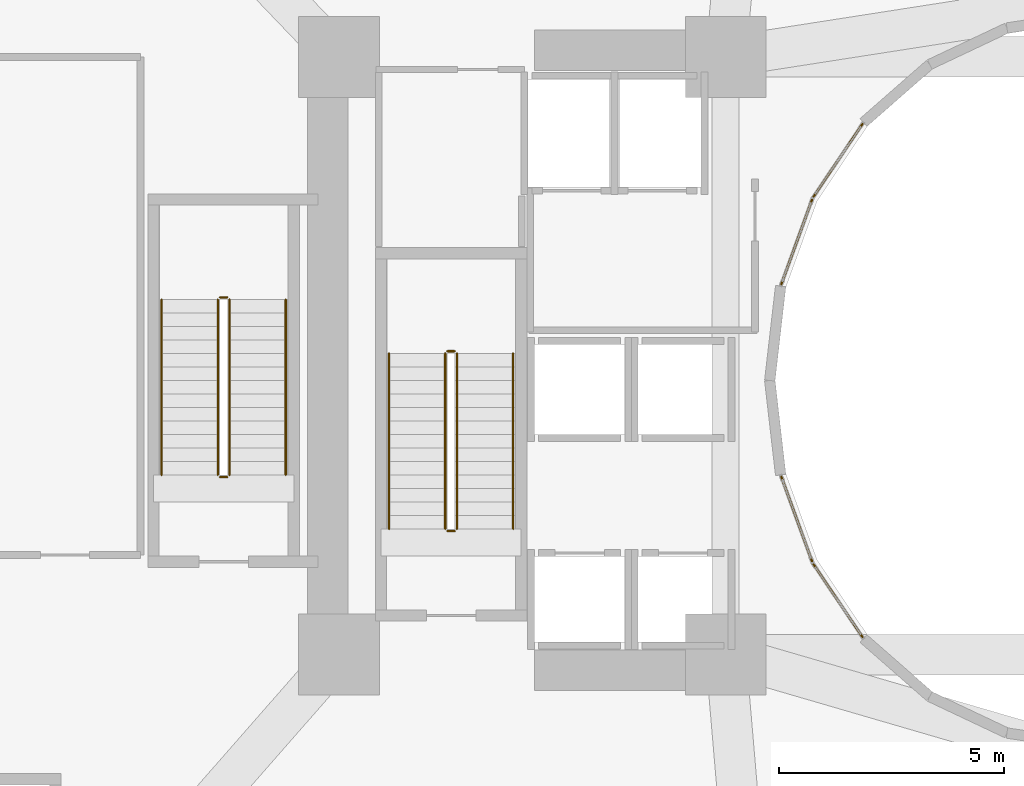
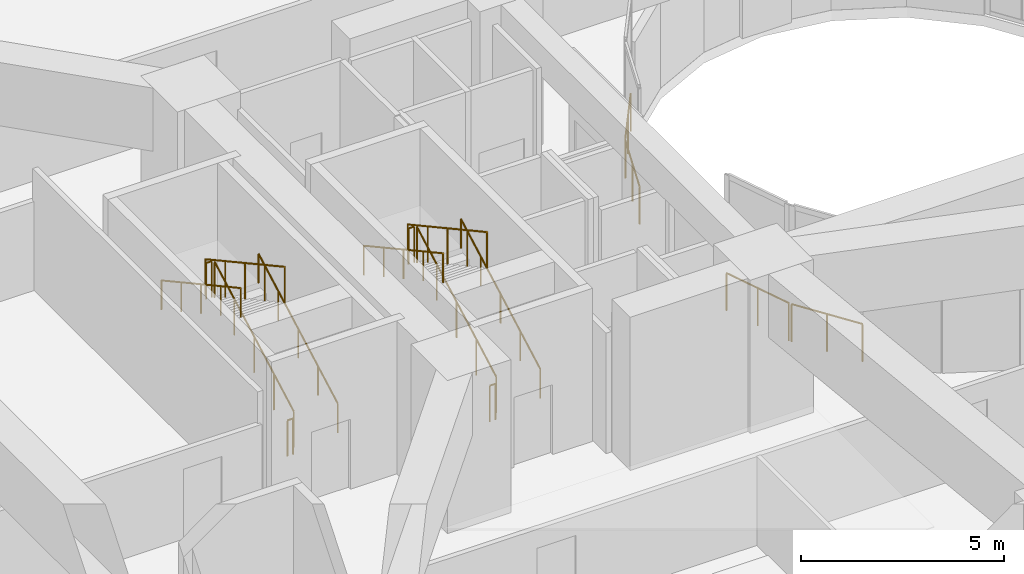
# One storey, part 23 of 27: 16 railings.
"""IFC4 building model written with IfcOpenShell, lengths in metres."""

from ifc_helpers import new_model, si_unit, direction, frame, origin, origin_2d, place, context, subcontext, project, spatial, circle, extrude, material, type_object, element, save


model = new_model("IFC4")

# Units and contexts
model_context = context("Model", 3, precision=1e-05, world=origin(), true_north=direction((0.0, 1.0)))
body_context = subcontext(model_context, "Body", "Model", "MODEL_VIEW")
ifc_project = project(units=[si_unit("LENGTHUNIT", "METRE"), si_unit("AREAUNIT", "SQUARE_METRE"), si_unit("VOLUMEUNIT", "CUBIC_METRE"), si_unit("PLANEANGLEUNIT", "RADIAN"), si_unit("MASSUNIT", "GRAM", prefix="KILO")], contexts=[model_context])

# Site, building, storey
site_placement = place(None, origin())
site = spatial("IfcSite", under=ifc_project, at=site_placement, CompositionType="ELEMENT")
building_placement = place(site_placement, origin())
building = spatial("IfcBuilding", under=site, at=building_placement, Name="Solvane Sanctuary Tower", CompositionType="ELEMENT")
storey_placement = place(building_placement, frame((0.0, 0.0, 23.0)))
storey = spatial("IfcBuildingStorey", under=building, at=storey_placement, Name="L06", CompositionType="ELEMENT", Elevation=23.0)

# Railings
ifc_material = material(Name="Architectural Stainless Steel 316", Category="steel")
railing_type_1 = type_object("IfcRailingType", Name="Railing GR-BALC-1150", PredefinedType="BALUSTRADE", material=ifc_material)
railing_1_placement = place(storey_placement, frame((17.919921875, 19.699951171875, 0.164306640625)))
element("IfcRailing", 1, at=railing_1_placement, inside=storey, type_object=railing_type_1, Name="L06 ST-1 stair guard 1", PredefinedType="BALUSTRADE", context=body_context, shape_type="SweptSolid", body=[
    extrude(circle(Radius=0.02392578125, at=origin_2d()), frame((0.0, 0.0, 1.076171875), z_axis=(0.0, 0.877101224295, 0.480305571839), x_axis=(-1.0, 0.0, 0.0)), (0.0, 0.0, 1.0), 4.446533203125),
    extrude(circle(Radius=0.02099609375, at=origin_2d()), origin(), (0.0, 0.0, 1.0), 1.052001953125),
    extrude(circle(Radius=0.02099609375, at=origin_2d()), frame((0.0, 0.97509765625, 0.533935546875)), (0.0, 0.0, 1.0), 1.052001953125),
    extrude(circle(Radius=0.02099609375, at=origin_2d()), frame((0.0, 1.9501953125, 1.06787109375)), (0.0, 0.0, 1.0), 1.052001953125),
    extrude(circle(Radius=0.02099609375, at=origin_2d()), frame((0.0, 2.925048828125, 1.601806640625)), (0.0, 0.0, 1.0), 1.052001953125),
    extrude(circle(Radius=0.02099609375, at=origin_2d()), frame((0.0, 3.900146484375, 2.1357421875)), (0.0, 0.0, 1.0), 1.052001953125),
])
railing_2_placement = place(storey_placement, frame((17.8701171875, 23.64990234375, 2.300048828125)))
element("IfcRailing", 2, at=railing_2_placement, inside=storey, type_object=railing_type_1, Name="L06 ST-1 stair guard 2", PredefinedType="BALUSTRADE", context=body_context, shape_type="SweptSolid", body=[
    extrude(circle(Radius=0.02392578125, at=origin_2d()), frame((0.0, 0.0, 1.076171875), z_axis=(-1.0, 0.0, 0.0), x_axis=(0.0, -1.0, 0.0)), (0.0, 0.0, 1.0), 0.16015625),
    extrude(circle(Radius=0.02099609375, at=origin_2d()), origin(), (0.0, 0.0, 1.0), 1.052001953125),
    extrude(circle(Radius=0.02099609375, at=origin_2d()), frame((-0.16015625, 0.0, 0.0)), (0.0, 0.0, 1.0), 1.052001953125),
])
railing_3_placement = place(storey_placement, frame((17.659912109375, 23.60009765625, 2.46435546875)))
element("IfcRailing", 3, at=railing_3_placement, inside=storey, type_object=railing_type_1, Name="L06 ST-1 stair guard 3", PredefinedType="BALUSTRADE", context=body_context, shape_type="SweptSolid", body=[
    extrude(circle(Radius=0.02392578125, at=origin_2d()), frame((0.0, 0.0, 1.076171875), z_axis=(0.0, -0.877101224295, 0.480305571839), x_axis=(1.0, 0.0, 0.0)), (0.0, 0.0, 1.0), 4.446533203125),
    extrude(circle(Radius=0.02099609375, at=origin_2d()), origin(), (0.0, 0.0, 1.0), 1.052001953125),
    extrude(circle(Radius=0.02099609375, at=origin_2d()), frame((0.0, -0.97509765625, 0.533935546875)), (0.0, 0.0, 1.0), 1.052001953125),
    extrude(circle(Radius=0.02099609375, at=origin_2d()), frame((0.0, -1.9501953125, 1.06787109375)), (0.0, 0.0, 1.0), 1.052001953125),
    extrude(circle(Radius=0.02099609375, at=origin_2d()), frame((0.0, -2.925048828125, 1.601806640625)), (0.0, 0.0, 1.0), 1.052001953125),
    extrude(circle(Radius=0.02099609375, at=origin_2d()), frame((0.0, -3.900146484375, 2.1357421875)), (0.0, 0.0, 1.0), 1.052001953125),
])
railing_4_placement = place(storey_placement, frame((17.8701171875, 19.64990234375, 0.0)))
element("IfcRailing", 4, at=railing_4_placement, inside=storey, type_object=railing_type_1, Name="L06 ST-1 stair guard 4", PredefinedType="BALUSTRADE", context=body_context, shape_type="SweptSolid", body=[
    extrude(circle(Radius=0.02392578125, at=origin_2d()), frame((0.0, 0.0, 1.076171875), z_axis=(-1.0, 0.0, 0.0), x_axis=(0.0, -1.0, 0.0)), (0.0, 0.0, 1.0), 0.16015625),
    extrude(circle(Radius=0.02099609375, at=origin_2d()), origin(), (0.0, 0.0, 1.0), 1.052001953125),
    extrude(circle(Radius=0.02099609375, at=origin_2d()), frame((-0.16015625, 0.0, 0.0)), (0.0, 0.0, 1.0), 1.052001953125),
])
railing_5_placement = place(storey_placement, frame((12.860107421875, 20.89990234375, 0.164306640625)))
element("IfcRailing", 5, at=railing_5_placement, inside=storey, type_object=railing_type_1, Name="L06 ST-3 stair guard 1", PredefinedType="BALUSTRADE", context=body_context, shape_type="SweptSolid", body=[
    extrude(circle(Radius=0.02392578125, at=origin_2d()), frame((0.0, 0.0, 1.076171875), z_axis=(0.0, 0.877101224295, 0.480305571839), x_axis=(-1.0, 0.0, 0.0)), (0.0, 0.0, 1.0), 4.446533203125),
    extrude(circle(Radius=0.02099609375, at=origin_2d()), origin(), (0.0, 0.0, 1.0), 1.052001953125),
    extrude(circle(Radius=0.02099609375, at=origin_2d()), frame((0.0, 0.97509765625, 0.533935546875)), (0.0, 0.0, 1.0), 1.052001953125),
    extrude(circle(Radius=0.02099609375, at=origin_2d()), frame((0.0, 1.9501953125, 1.06787109375)), (0.0, 0.0, 1.0), 1.052001953125),
    extrude(circle(Radius=0.02099609375, at=origin_2d()), frame((0.0, 2.925048828125, 1.601806640625)), (0.0, 0.0, 1.0), 1.052001953125),
    extrude(circle(Radius=0.02099609375, at=origin_2d()), frame((0.0, 3.900146484375, 2.1357421875)), (0.0, 0.0, 1.0), 1.052001953125),
])
railing_6_placement = place(storey_placement, frame((12.81005859375, 24.85009765625, 2.300048828125)))
element("IfcRailing", 6, at=railing_6_placement, inside=storey, type_object=railing_type_1, Name="L06 ST-3 stair guard 2", PredefinedType="BALUSTRADE", context=body_context, shape_type="SweptSolid", body=[
    extrude(circle(Radius=0.02392578125, at=origin_2d()), frame((0.0, 0.0, 1.076171875), z_axis=(-1.0, 0.0, 0.0), x_axis=(0.0, -1.0, 0.0)), (0.0, 0.0, 1.0), 0.16015625),
    extrude(circle(Radius=0.02099609375, at=origin_2d()), origin(), (0.0, 0.0, 1.0), 1.052001953125),
    extrude(circle(Radius=0.02099609375, at=origin_2d()), frame((-0.16015625, 0.0, 0.0)), (0.0, 0.0, 1.0), 1.052001953125),
])
railing_7_placement = place(storey_placement, frame((12.60009765625, 24.800048828125, 2.46435546875)))
element("IfcRailing", 7, at=railing_7_placement, inside=storey, type_object=railing_type_1, Name="L06 ST-3 stair guard 3", PredefinedType="BALUSTRADE", context=body_context, shape_type="SweptSolid", body=[
    extrude(circle(Radius=0.02392578125, at=origin_2d()), frame((0.0, 0.0, 1.076171875), z_axis=(0.0, -0.877101224295, 0.480305571839), x_axis=(1.0, 0.0, 0.0)), (0.0, 0.0, 1.0), 4.446533203125),
    extrude(circle(Radius=0.02099609375, at=origin_2d()), origin(), (0.0, 0.0, 1.0), 1.052001953125),
    extrude(circle(Radius=0.02099609375, at=origin_2d()), frame((0.0, -0.97509765625, 0.533935546875)), (0.0, 0.0, 1.0), 1.052001953125),
    extrude(circle(Radius=0.02099609375, at=origin_2d()), frame((0.0, -1.9501953125, 1.06787109375)), (0.0, 0.0, 1.0), 1.052001953125),
    extrude(circle(Radius=0.02099609375, at=origin_2d()), frame((0.0, -2.925048828125, 1.601806640625)), (0.0, 0.0, 1.0), 1.052001953125),
    extrude(circle(Radius=0.02099609375, at=origin_2d()), frame((0.0, -3.900146484375, 2.1357421875)), (0.0, 0.0, 1.0), 1.052001953125),
])
railing_8_placement = place(storey_placement, frame((12.81005859375, 20.85009765625, 0.0)))
element("IfcRailing", 8, at=railing_8_placement, inside=storey, type_object=railing_type_1, Name="L06 ST-3 stair guard 4", PredefinedType="BALUSTRADE", context=body_context, shape_type="SweptSolid", body=[
    extrude(circle(Radius=0.02392578125, at=origin_2d()), frame((0.0, 0.0, 1.076171875), z_axis=(-1.0, 0.0, 0.0), x_axis=(0.0, -1.0, 0.0)), (0.0, 0.0, 1.0), 0.16015625),
    extrude(circle(Radius=0.02099609375, at=origin_2d()), origin(), (0.0, 0.0, 1.0), 1.052001953125),
    extrude(circle(Radius=0.02099609375, at=origin_2d()), frame((-0.16015625, 0.0, 0.0)), (0.0, 0.0, 1.0), 1.052001953125),
])
railing_type_2 = type_object("IfcRailingType", Name="Railing GR-WELL-1150", PredefinedType="GUARDRAIL", material=ifc_material)
railing_9_placement = place(storey_placement, frame((26.943115234375, 28.70849609375, 0.0)))
element("IfcRailing", 9, at=railing_9_placement, inside=storey, type_object=railing_type_2, Name="L06 Light-Well Sill Guard 09", PredefinedType="GUARDRAIL", context=body_context, shape_type="SweptSolid", body=[
    extrude(circle(Radius=0.02392578125, at=origin_2d()), frame((0.0, 0.0, 1.1259765625), z_axis=(-0.558283423748, -0.829650299083, 0.0), x_axis=(0.829650299083, -0.558283423748, 0.0)), (0.0, 0.0, 1.0), 1.94677734375),
    extrude(circle(Radius=0.02099609375, at=origin_2d()), origin(), (0.0, 0.0, 1.0), 1.101806640625),
    extrude(circle(Radius=0.02099609375, at=origin_2d()), frame((-0.54345703125, -0.8076171875, 0.0)), (0.0, 0.0, 1.0), 1.101806640625),
    extrude(circle(Radius=0.02099609375, at=origin_2d()), frame((-1.0869140625, -1.615234375, 0.0)), (0.0, 0.0, 1.0), 1.101806640625),
])
railing_10_placement = place(storey_placement, frame((25.8203125, 27.0224609375, 0.0)))
element("IfcRailing", 10, at=railing_10_placement, inside=storey, type_object=railing_type_2, Name="L06 Light-Well Sill Guard 10", PredefinedType="GUARDRAIL", context=body_context, shape_type="SweptSolid", body=[
    extrude(circle(Radius=0.02392578125, at=origin_2d()), frame((0.0, 0.0, 1.1259765625), z_axis=(-0.341410413021, -0.9399143205, 0.0), x_axis=(0.9399143205, -0.341410413021, 0.0)), (0.0, 0.0, 1.0), 2.003662109375),
    extrude(circle(Radius=0.02099609375, at=origin_2d()), origin(), (0.0, 0.0, 1.0), 1.101806640625),
    extrude(circle(Radius=0.02099609375, at=origin_2d()), frame((-0.342041015625, -0.941650390625, 0.0)), (0.0, 0.0, 1.0), 1.101806640625),
    extrude(circle(Radius=0.02099609375, at=origin_2d()), frame((-0.68408203125, -1.88330078125, 0.0)), (0.0, 0.0, 1.0), 1.101806640625),
])
railing_11_placement = place(storey_placement, frame((25.13623046875, 20.86083984375, 0.0)))
element("IfcRailing", 11, at=railing_11_placement, inside=storey, type_object=railing_type_2, Name="L06 Light-Well Sill Guard 13", PredefinedType="GUARDRAIL", context=body_context, shape_type="SweptSolid", body=[
    extrude(circle(Radius=0.02392578125, at=origin_2d()), frame((0.0, 0.0, 1.1259765625), z_axis=(0.341410413021, -0.9399143205, 0.0), x_axis=(0.9399143205, 0.341410413021, 0.0)), (0.0, 0.0, 1.0), 2.003662109375),
    extrude(circle(Radius=0.02099609375, at=origin_2d()), origin(), (0.0, 0.0, 1.0), 1.101806640625),
    extrude(circle(Radius=0.02099609375, at=origin_2d()), frame((0.342041015625, -0.941650390625, 0.0)), (0.0, 0.0, 1.0), 1.101806640625),
    extrude(circle(Radius=0.02099609375, at=origin_2d()), frame((0.68408203125, -1.88330078125, 0.0)), (0.0, 0.0, 1.0), 1.101806640625),
])
railing_12_placement = place(storey_placement, frame((25.856201171875, 18.90673828125, 0.0)))
element("IfcRailing", 12, at=railing_12_placement, inside=storey, type_object=railing_type_2, Name="L06 Light-Well Sill Guard 14", PredefinedType="GUARDRAIL", context=body_context, shape_type="SweptSolid", body=[
    extrude(circle(Radius=0.02392578125, at=origin_2d()), frame((0.0, 0.0, 1.1259765625), z_axis=(0.558283423748, -0.829650299083, 0.0), x_axis=(0.829650299083, 0.558283423748, 0.0)), (0.0, 0.0, 1.0), 1.94677734375),
    extrude(circle(Radius=0.02099609375, at=origin_2d()), origin(), (0.0, 0.0, 1.0), 1.101806640625),
    extrude(circle(Radius=0.02099609375, at=origin_2d()), frame((0.54345703125, -0.8076171875, 0.0)), (0.0, 0.0, 1.0), 1.101806640625),
    extrude(circle(Radius=0.02099609375, at=origin_2d()), frame((1.0869140625, -1.615234375, 0.0)), (0.0, 0.0, 1.0), 1.101806640625),
])
railing_type_3 = type_object("IfcRailingType", Name="Railing HR-STAIR-920", PredefinedType="HANDRAIL", material=ifc_material)
railing_13_placement = place(storey_placement, frame((19.169921875, 19.699951171875, 0.164306640625)))
element("IfcRailing", 13, at=railing_13_placement, inside=storey, type_object=railing_type_3, Name="L06 ST-1 stair handrail 1", PredefinedType="HANDRAIL", context=body_context, shape_type="SweptSolid", body=[
    extrude(circle(Radius=0.02392578125, at=origin_2d()), frame((0.0, 0.0, 0.8759765625), z_axis=(0.0, 0.877101224295, 0.480305571839), x_axis=(-1.0, 0.0, 0.0)), (0.0, 0.0, 1.0), 4.446533203125),
    extrude(circle(Radius=0.02099609375, at=origin_2d()), origin(), (0.0, 0.0, 1.0), 0.851806640625),
    extrude(circle(Radius=0.02099609375, at=origin_2d()), frame((0.0, 0.97509765625, 0.533935546875)), (0.0, 0.0, 1.0), 0.851806640625),
    extrude(circle(Radius=0.02099609375, at=origin_2d()), frame((0.0, 1.9501953125, 1.06787109375)), (0.0, 0.0, 1.0), 0.851806640625),
    extrude(circle(Radius=0.02099609375, at=origin_2d()), frame((0.0, 2.925048828125, 1.601806640625)), (0.0, 0.0, 1.0), 0.851806640625),
    extrude(circle(Radius=0.02099609375, at=origin_2d()), frame((0.0, 3.900146484375, 2.1357421875)), (0.0, 0.0, 1.0), 0.851806640625),
])
railing_14_placement = place(storey_placement, frame((16.409912109375, 23.60009765625, 2.46435546875)))
element("IfcRailing", 14, at=railing_14_placement, inside=storey, type_object=railing_type_3, Name="L06 ST-1 stair handrail 2", PredefinedType="HANDRAIL", context=body_context, shape_type="SweptSolid", body=[
    extrude(circle(Radius=0.02392578125, at=origin_2d()), frame((0.0, 0.0, 0.8759765625), z_axis=(0.0, -0.877101224295, 0.480305571839), x_axis=(1.0, 0.0, 0.0)), (0.0, 0.0, 1.0), 4.446533203125),
    extrude(circle(Radius=0.02099609375, at=origin_2d()), origin(), (0.0, 0.0, 1.0), 0.851806640625),
    extrude(circle(Radius=0.02099609375, at=origin_2d()), frame((0.0, -0.97509765625, 0.533935546875)), (0.0, 0.0, 1.0), 0.851806640625),
    extrude(circle(Radius=0.02099609375, at=origin_2d()), frame((0.0, -1.9501953125, 1.06787109375)), (0.0, 0.0, 1.0), 0.851806640625),
    extrude(circle(Radius=0.02099609375, at=origin_2d()), frame((0.0, -2.925048828125, 1.601806640625)), (0.0, 0.0, 1.0), 0.851806640625),
    extrude(circle(Radius=0.02099609375, at=origin_2d()), frame((0.0, -3.900146484375, 2.1357421875)), (0.0, 0.0, 1.0), 0.851806640625),
])
railing_15_placement = place(storey_placement, frame((14.110107421875, 20.89990234375, 0.164306640625)))
element("IfcRailing", 15, at=railing_15_placement, inside=storey, type_object=railing_type_3, Name="L06 ST-3 stair handrail 1", PredefinedType="HANDRAIL", context=body_context, shape_type="SweptSolid", body=[
    extrude(circle(Radius=0.02392578125, at=origin_2d()), frame((0.0, 0.0, 0.8759765625), z_axis=(0.0, 0.877101224295, 0.480305571839), x_axis=(-1.0, 0.0, 0.0)), (0.0, 0.0, 1.0), 4.446533203125),
    extrude(circle(Radius=0.02099609375, at=origin_2d()), origin(), (0.0, 0.0, 1.0), 0.851806640625),
    extrude(circle(Radius=0.02099609375, at=origin_2d()), frame((0.0, 0.97509765625, 0.533935546875)), (0.0, 0.0, 1.0), 0.851806640625),
    extrude(circle(Radius=0.02099609375, at=origin_2d()), frame((0.0, 1.9501953125, 1.06787109375)), (0.0, 0.0, 1.0), 0.851806640625),
    extrude(circle(Radius=0.02099609375, at=origin_2d()), frame((0.0, 2.925048828125, 1.601806640625)), (0.0, 0.0, 1.0), 0.851806640625),
    extrude(circle(Radius=0.02099609375, at=origin_2d()), frame((0.0, 3.900146484375, 2.1357421875)), (0.0, 0.0, 1.0), 0.851806640625),
])
railing_16_placement = place(storey_placement, frame((11.35009765625, 24.800048828125, 2.46435546875)))
element("IfcRailing", 16, at=railing_16_placement, inside=storey, type_object=railing_type_3, Name="L06 ST-3 stair handrail 2", PredefinedType="HANDRAIL", context=body_context, shape_type="SweptSolid", body=[
    extrude(circle(Radius=0.02392578125, at=origin_2d()), frame((0.0, 0.0, 0.8759765625), z_axis=(0.0, -0.877101224295, 0.480305571839), x_axis=(1.0, 0.0, 0.0)), (0.0, 0.0, 1.0), 4.446533203125),
    extrude(circle(Radius=0.02099609375, at=origin_2d()), origin(), (0.0, 0.0, 1.0), 0.851806640625),
    extrude(circle(Radius=0.02099609375, at=origin_2d()), frame((0.0, -0.97509765625, 0.533935546875)), (0.0, 0.0, 1.0), 0.851806640625),
    extrude(circle(Radius=0.02099609375, at=origin_2d()), frame((0.0, -1.9501953125, 1.06787109375)), (0.0, 0.0, 1.0), 0.851806640625),
    extrude(circle(Radius=0.02099609375, at=origin_2d()), frame((0.0, -2.925048828125, 1.601806640625)), (0.0, 0.0, 1.0), 0.851806640625),
    extrude(circle(Radius=0.02099609375, at=origin_2d()), frame((0.0, -3.900146484375, 2.1357421875)), (0.0, 0.0, 1.0), 0.851806640625),
])

save(model, "model.ifc")
